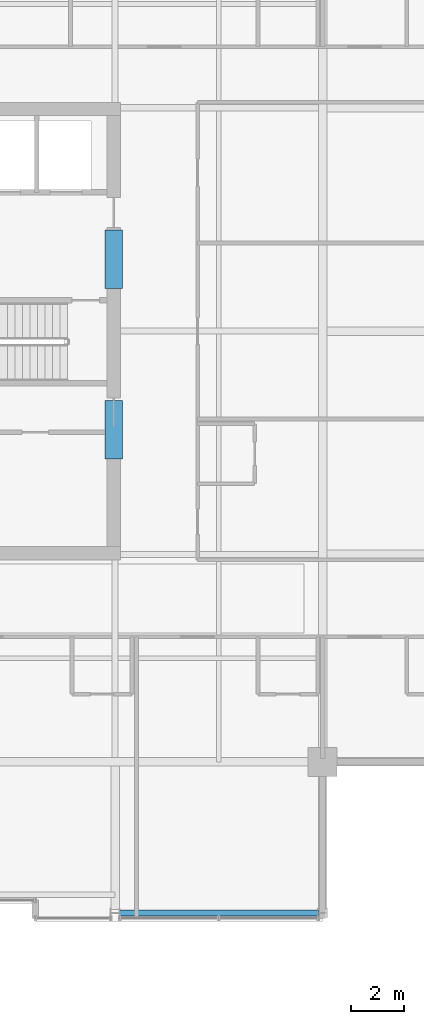
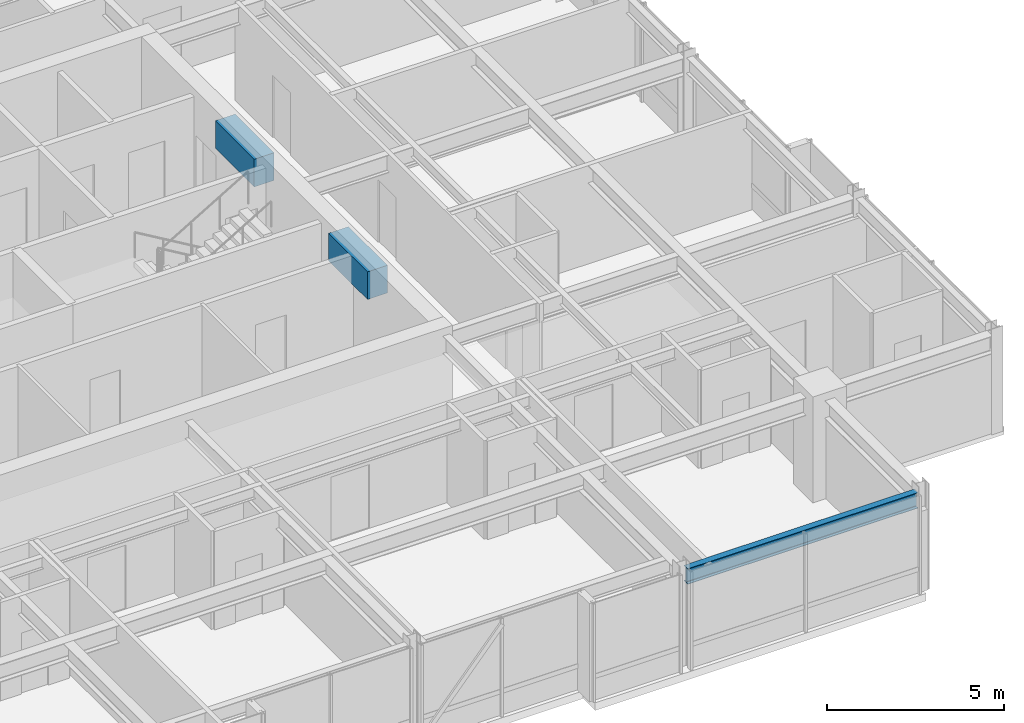
# One storey, part 14 of 34: 3 beams.
"""IFC4 building model written with IfcOpenShell, lengths in metres."""

from ifc_helpers import new_model, si_unit, direction, frame, origin, origin_2d, place, context, subcontext, project, spatial, rectangle, i_section, extrude, material, material_profile, profile_set, type_object, element, save


model = new_model("IFC4")

# Units and contexts
model_context = context("Model", 3, precision=1e-05, world=origin(), true_north=direction((0.0, 1.0)))
body_context = subcontext(model_context, "Body", "Model", "MODEL_VIEW")
ifc_project = project(units=[si_unit("LENGTHUNIT", "METRE"), si_unit("AREAUNIT", "SQUARE_METRE"), si_unit("VOLUMEUNIT", "CUBIC_METRE"), si_unit("PLANEANGLEUNIT", "RADIAN"), si_unit("MASSUNIT", "GRAM", prefix="KILO")], contexts=[model_context])

# Site, building, storey
site_placement = place(None, origin())
site = spatial("IfcSite", under=ifc_project, at=site_placement, CompositionType="ELEMENT")
building_placement = place(site_placement, origin())
building = spatial("IfcBuilding", under=site, at=building_placement, Name="Drelvath Grand Hotel", CompositionType="ELEMENT")
storey_placement = place(building_placement, frame((0.0, 0.0, 286.89990234375)))
storey = spatial("IfcBuildingStorey", under=building, at=storey_placement, Name="L75", CompositionType="ELEMENT", Elevation=286.89990234375)

# Beams
ifc_material_1 = material(Name="Concrete f'c 55 MPa", Category="concrete")
ifc_material_profile_1 = material_profile(ifc_material_1, rectangle(XDim=0.64990234375, YDim=0.949951171875, at=origin_2d()), Name="CB650X950")
ifc_profile_set_1 = profile_set([ifc_material_profile_1], Name="Concrete f'c 55 MPa")
beam_type_1 = type_object("IfcBeamType", Name="Core Coupling Lintel CB650X950", PredefinedType="LINTEL", material=ifc_profile_set_1)
for number, where, z_axis, x_axis, name in (
    (1, (8.35009765625, 22.199951171875, 2.9150390625), (0.0, 1.0, 0.0), (-1.0, 0.0, 0.0), "L75 Core Coupling Lintel ES"),
    (2, (8.35009765625, 28.60009765625, 2.9150390625), (0.0, 1.0, 0.0), (-1.0, 0.0, 0.0), "L75 Core Coupling Lintel EN"),
):
    element("IfcBeam", number, at=place(storey_placement, frame(where, z_axis=z_axis, x_axis=x_axis)), inside=storey, type_object=beam_type_1, Name=name, PredefinedType="LINTEL", context=body_context, shape_type="SweptSolid", body=[
        extrude(rectangle(XDim=0.64990234375, YDim=0.949951171875, at=origin_2d()), origin(), (0.0, 0.0, 1.0), 2.199951171875),
    ])
ifc_material_2 = material(Name="Steel ASTM A992 Gr 50", Category="steel")
ifc_material_profile_2 = material_profile(ifc_material_2, i_section(OverallWidth=0.210205078125, OverallDepth=0.53662109375, WebThickness=0.010986328125, FlangeThickness=0.017333984375, FilletRadius=0.01806640625, at=origin_2d()), Name="W21X68")
ifc_profile_set_2 = profile_set([ifc_material_profile_2], Name="Steel ASTM A992 Gr 50")
beam_type_2 = type_object("IfcBeamType", Name="Perimeter Spandrel Beam W21X68", PredefinedType="SPANDREL", material=ifc_profile_set_2)
beam_placement = place(storey_placement, frame((8.5400390625, 5.1201171875, 3.121826171875), z_axis=(1.0, 0.0, 0.0), x_axis=(0.0, 1.0, 0.0)))
element("IfcBeam", 3, at=beam_placement, inside=storey, type_object=beam_type_2, Name="L75 Spandrel South E", PredefinedType="SPANDREL", context=body_context, shape_type="SweptSolid", body=[
    extrude(i_section(OverallWidth=0.210205078125, OverallDepth=0.53662109375, WebThickness=0.010986328125, FlangeThickness=0.017333984375, FilletRadius=0.01806640625, at=origin_2d()), origin(), (0.0, 0.0, 1.0), 7.52001953125),
])

save(model, "model.ifc")
